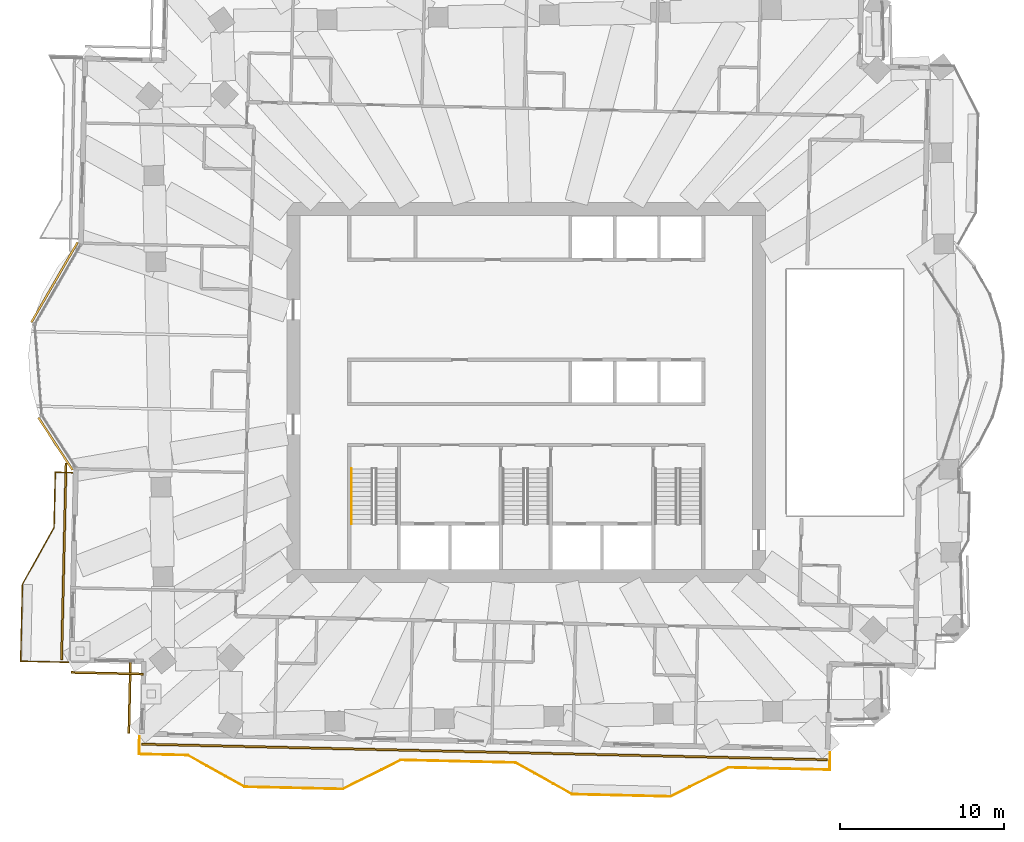
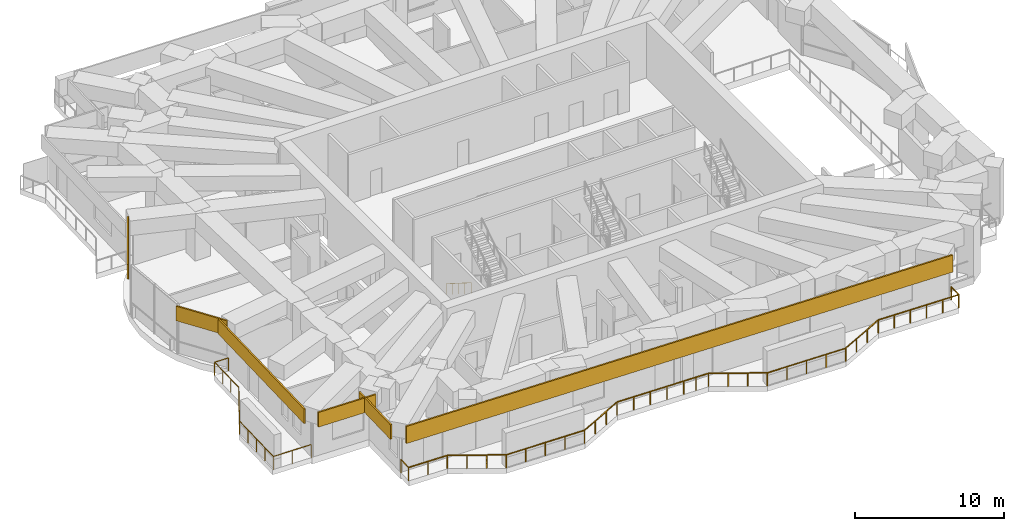
# One storey, part 15 of 19: 6 coverings, 3 railings.
"""IFC4 building model written with IfcOpenShell, lengths in metres."""

import ifcopenshell
import ifcopenshell.guid

model = None  # the IFC model being written
_history = None  # IfcOwnerHistory: only IFC2X3 demands one
_inside = {}  # id of a spatial element -> (the spatial element, [elements in it])
_under = {}  # id of a project, library or spatial element -> (it, [spatial elements below it])
_declared = {}  # id of a project -> (the project, [libraries it declares])
_typed = {}  # id of a type object -> (the type object, [elements of that type])
_made_of = {}  # id of a material, layer set ... -> (it, [elements and type objects made of it])


def new_model(schema):
    """Start an empty IFC model of exactly this schema.

    Asked for "IFC4X3", IfcOpenShell would pick the latest addendum, in which some entities
    have other attributes; the version numbers below select the first issue.
    IFC2X3 requires an IfcOwnerHistory on every rooted entity: one is made here for all.
    """
    global model, _history
    if schema == "IFC4X3":
        model = ifcopenshell.file(schema_version=(4, 3, 0, 0))
    else:
        model = ifcopenshell.file(schema=schema)
    _inside.clear()
    _under.clear()
    _declared.clear()
    _typed.clear()
    _made_of.clear()
    _history = None
    if model.schema == "IFC2X3":
        org = make("IfcOrganization", Name="unknown")
        user = make(
            "IfcPersonAndOrganization",
            ThePerson=make("IfcPerson", FamilyName="unknown"),
            TheOrganization=org,
        )
        app = make(
            "IfcApplication",
            ApplicationDeveloper=org,
            Version="unknown",
            ApplicationFullName="unknown",
            ApplicationIdentifier="unknown",
        )
        _history = make(
            "IfcOwnerHistory",
            OwningUser=user,
            OwningApplication=app,
            ChangeAction="ADDED",
            CreationDate=0,
        )
    return model


def make(cls, **values):
    """One entity of the class cls with the attributes given. An attribute that is None is left unset."""
    return model.create_entity(
        cls, **{name: value for name, value in values.items() if value is not None}
    )


def rooted(cls, **values):
    """An entity with a GlobalId (a new one), such as an element, a storey or a relation."""
    return make(cls, GlobalId=ifcopenshell.guid.new(), OwnerHistory=_history, **values)


def si_unit(unit_type, name, prefix=None):
    """IfcSIUnit, for example si_unit("LENGTHUNIT", "METRE", prefix="MILLI")."""
    return make("IfcSIUnit", UnitType=unit_type, Prefix=prefix, Name=name)


def assignment(units):
    """IfcUnitAssignment: the units of a project."""
    return None if units is None else make("IfcUnitAssignment", Units=units)


def point(xyz):
    """IfcCartesianPoint."""
    return None if xyz is None else make("IfcCartesianPoint", Coordinates=xyz)


def direction(xyz):
    """IfcDirection."""
    return None if xyz is None else make("IfcDirection", DirectionRatios=xyz)


def frame(location, z_axis=None, x_axis=None):
    """IfcAxis2Placement3D, a coordinate frame: its origin and axes. An axis left out is left unset."""
    return make(
        "IfcAxis2Placement3D",
        Location=point(location),
        Axis=direction(z_axis),
        RefDirection=direction(x_axis),
    )


def frame_2d(location, x_axis=None):
    """IfcAxis2Placement2D, a coordinate frame in the plane: its origin and x axis."""
    return make(
        "IfcAxis2Placement2D", Location=point(location), RefDirection=direction(x_axis)
    )


def origin():
    """The frame at (0, 0, 0) with its axes left unset."""
    return frame((0.0, 0.0, 0.0))


def origin_2d():
    """The frame at (0, 0) in the plane with its x axis left unset."""
    return frame_2d((0.0, 0.0))


def place(relative_to, where):
    """IfcLocalPlacement: puts the frame where relative to a parent placement (None: the world)."""
    return make(
        "IfcLocalPlacement", PlacementRelTo=relative_to, RelativePlacement=where
    )


def context(
    kind, dimensions, precision=None, world=None, true_north=None, identifier=None
):
    """IfcGeometricRepresentationContext, for example the 3D "Model" context."""
    return make(
        "IfcGeometricRepresentationContext",
        ContextIdentifier=identifier,
        ContextType=kind,
        CoordinateSpaceDimension=dimensions,
        Precision=precision,
        WorldCoordinateSystem=world,
        TrueNorth=true_north,
    )


def subcontext(parent, identifier, kind, view, scale=None):
    """IfcGeometricRepresentationSubContext, for example "Body" below "Model"."""
    return make(
        "IfcGeometricRepresentationSubContext",
        ContextIdentifier=identifier,
        ContextType=kind,
        ParentContext=parent,
        TargetScale=scale,
        TargetView=view,
    )


def project(units=None, contexts=None):
    """IfcProject with its units and contexts."""
    return rooted(
        "IfcProject",
        Name="project",
        RepresentationContexts=contexts,
        UnitsInContext=assignment(units),
    )


def spatial(cls, under=None, at=None, **own):
    """A site, building, storey or space (cls), placed at a placement, below another one or the project."""
    s = rooted(cls, ObjectPlacement=at, **own)
    if under is not None:
        _under.setdefault(under.id(), (under, []))[1].append(s)
    return s


def profile(cls, at=None, kind="AREA", **sizes):
    """A parametric profile (cls). Its sizes go by their IFC names, for example OverallWidth=200.0."""
    return make(cls, ProfileType=kind, Position=at, **sizes)


def rectangle(**sizes):
    """IfcRectangleProfileDef."""
    return profile("IfcRectangleProfileDef", **sizes)


def circle(**sizes):
    """IfcCircleProfileDef."""
    return profile("IfcCircleProfileDef", **sizes)


def extrude(swept, where, along, depth):
    """IfcExtrudedAreaSolid: the profile swept, set in the frame where, extruded along a direction by depth."""
    return make(
        "IfcExtrudedAreaSolid",
        SweptArea=swept,
        Position=where,
        ExtrudedDirection=direction(along),
        Depth=depth,
    )


def shape(context_of_items, identifier, shape_type, items):
    """IfcShapeRepresentation: the items that make up one representation, for example the "Body"."""
    return make(
        "IfcShapeRepresentation",
        ContextOfItems=context_of_items,
        RepresentationIdentifier=identifier,
        RepresentationType=shape_type,
        Items=items,
    )


def material(Name=None, Category=None):
    """IfcMaterial."""
    return make("IfcMaterial", Name=Name, Category=Category)


def layer(
    of_material, thickness, ventilated=None, Name=None, Category=None, Priority=None
):
    """IfcMaterialLayer: one layer of a wall or slab, of a material (None: an air gap)."""
    return make(
        "IfcMaterialLayer",
        Material=of_material,
        LayerThickness=thickness,
        IsVentilated=ventilated,
        Name=Name,
        Category=Category,
        Priority=Priority,
    )


def layer_set(layers, Name=None):
    """IfcMaterialLayerSet."""
    return make("IfcMaterialLayerSet", MaterialLayers=layers, LayerSetName=Name)


def made_of(thing, what):
    """Note that an element or type object is made of a material, layer set ...; save() writes the relation."""
    if what is not None:
        _made_of.setdefault(what.id(), (what, []))[1].append(thing)
    return thing


def type_object(cls, material=None, **own):
    """A type object (cls), such as IfcWallType, which elements share."""
    return made_of(rooted(cls, **own), material)


def element(
    cls,
    number,
    at=None,
    inside=None,
    cuts=None,
    type_object=None,
    material=None,
    context=None,
    identifier="Body",
    shape_type=None,
    held_by="IfcProductDefinitionShape",
    body=None,
    shapes=None,
    **own,
):
    """One element of the class cls, such as IfcWall. Its Tag is "e" and its number.

    at: its placement. inside: the storey or other place that contains it. cuts: it is an
    opening in that element (IfcRelVoidsElement). A single representation is given by context,
    identifier, shape_type and body (its items); several are given by shapes. held_by: the class
    of the entity that holds the representations. save() writes the other relations.
    """
    e = rooted(cls, Tag="e%d" % number, ObjectPlacement=at, **own)
    if body is not None:
        shapes = [shape(context, identifier, shape_type, body)]
    if shapes is not None:
        e.Representation = make(held_by, Representations=shapes)
    if inside is not None:
        _inside.setdefault(inside.id(), (inside, []))[1].append(e)
    if cuts is not None:
        rooted(
            "IfcRelVoidsElement", RelatingBuildingElement=cuts, RelatedOpeningElement=e
        )
    if type_object is not None:
        _typed.setdefault(type_object.id(), (type_object, []))[1].append(e)
    return made_of(e, material)


def aggregate(whole, parts):
    """IfcRelAggregates: a whole, such as a stair, and the parts it consists of."""
    return rooted("IfcRelAggregates", RelatingObject=whole, RelatedObjects=parts)


def save(model, path):
    """Write the relations noted so far, then the file.

    IfcRelAggregates (storeys below a building ...), IfcRelContainedInSpatialStructure (elements
    in a storey), IfcRelDefinesByType, IfcRelAssociatesMaterial and IfcRelDeclares: one each for
    every whole, place, type object, material and project.
    """
    for whole, parts in _under.values():
        aggregate(whole, parts)
    for where, things in _inside.values():
        rooted(
            "IfcRelContainedInSpatialStructure",
            RelatedElements=things,
            RelatingStructure=where,
        )
    for kind, things in _typed.values():
        rooted("IfcRelDefinesByType", RelatedObjects=things, RelatingType=kind)
    for what, things in _made_of.values():
        rooted("IfcRelAssociatesMaterial", RelatedObjects=things, RelatingMaterial=what)
    for by, libraries in _declared.values():
        rooted("IfcRelDeclares", RelatingContext=by, RelatedDefinitions=libraries)
    model.write(path)


model = new_model("IFC4")

# Units and contexts
model_context = context("Model", 3, precision=1e-05, world=origin(), true_north=direction((0.0, 1.0)))
body_context = subcontext(model_context, "Body", "Model", "MODEL_VIEW")
ifc_project = project(units=[si_unit("LENGTHUNIT", "METRE"), si_unit("AREAUNIT", "SQUARE_METRE"), si_unit("VOLUMEUNIT", "CUBIC_METRE"), si_unit("PLANEANGLEUNIT", "RADIAN"), si_unit("MASSUNIT", "GRAM", prefix="KILO")], contexts=[model_context])

# Site, building, storey
site_placement = place(None, origin())
site = spatial("IfcSite", under=ifc_project, at=site_placement, CompositionType="ELEMENT")
building_placement = place(site_placement, origin())
building = spatial("IfcBuilding", under=site, at=building_placement, Name="Mangrove Gate Tower", CompositionType="ELEMENT")
storey_placement = place(building_placement, frame((0.0, 0.0, 193.300048828125)))
storey = spatial("IfcBuildingStorey", under=building, at=storey_placement, Name="L49", CompositionType="ELEMENT", Elevation=193.300048828125)

# Railings
ifc_material_1 = material(Name="Stainless steel grade 316 with laminated glass infill", Category="steel")
railing_type_1 = type_object("IfcRailingType", Name="Balcony guard 1100", PredefinedType="GUARDRAIL", material=ifc_material_1)
railing_1_placement = place(storey_placement, frame((-27.6669921875, -4.885986328125, 0.0)))
element("IfcRailing", 1, at=railing_1_placement, inside=storey, type_object=railing_type_1, Name="GUARD L49 W2", PredefinedType="GUARDRAIL", context=body_context, shape_type="SweptSolid", body=[
    extrude(rectangle(XDim=0.048095703125, YDim=0.048095703125, at=origin_2d()), frame((0.0, 0.0, 1.076171875), z_axis=(-0.999745389313, 0.022564497502, 0.0), x_axis=(-0.022564497502, -0.999745389313, 0.0)), (0.0, 0.0, 1.0), 1.060302734375),
    extrude(rectangle(XDim=0.048095703125, YDim=0.048095703125, at=origin_2d()), frame((-1.06005859375, 0.02392578125, 1.076171875), z_axis=(-0.022504432334, -0.999746743193, 0.0), x_axis=(0.999746743193, -0.022504432334, 0.0)), (0.0, 0.0, 1.0), 3.373779296875),
    extrude(rectangle(XDim=0.048095703125, YDim=0.048095703125, at=origin_2d()), frame((-1.135986328125, -3.34912109375, 1.076171875), z_axis=(-0.487155136876, -0.873315448515, 0.0), x_axis=(0.873315448515, -0.487155136876, 0.0)), (0.0, 0.0, 1.0), 3.959716796875),
    extrude(rectangle(XDim=0.048095703125, YDim=0.048095703125, at=origin_2d()), frame((-3.06494140625, -6.80712890625, 1.076171875), z_axis=(-0.022807556235, -0.999739873856, 0.0), x_axis=(0.999739873856, -0.022807556235, 0.0)), (0.0, 0.0, 1.0), 4.69921875),
    extrude(rectangle(XDim=0.048095703125, YDim=0.048095703125, at=origin_2d()), frame((-3.172119140625, -11.505126953125, 1.076171875), z_axis=(0.999743392495, -0.022652795902, 0.0), x_axis=(0.022652795902, 0.999743392495, 0.0)), (0.0, 0.0, 1.0), 2.909912109375),
    extrude(rectangle(XDim=0.0419921875, YDim=0.0419921875, at=origin_2d()), origin(), (0.0, 0.0, 1.0), 1.052001953125),
    extrude(rectangle(XDim=0.0419921875, YDim=0.0419921875, at=origin_2d()), frame((-1.06005859375, 0.02392578125, 0.0)), (0.0, 0.0, 1.0), 1.052001953125),
    extrude(rectangle(XDim=0.0419921875, YDim=0.0419921875, at=origin_2d()), frame((-1.08544921875, -1.100341796875, 0.0)), (0.0, 0.0, 1.0), 1.052001953125),
    extrude(rectangle(XDim=0.0419921875, YDim=0.0419921875, at=origin_2d()), frame((-1.110595703125, -2.224853515625, 0.0)), (0.0, 0.0, 1.0), 1.052001953125),
    extrude(rectangle(XDim=0.0419921875, YDim=0.0419921875, at=origin_2d()), frame((-1.135986328125, -3.34912109375, 0.0)), (0.0, 0.0, 1.0), 1.052001953125),
    extrude(rectangle(XDim=0.0419921875, YDim=0.0419921875, at=origin_2d()), frame((-1.779052734375, -4.501708984375, 0.0)), (0.0, 0.0, 1.0), 1.052001953125),
    extrude(rectangle(XDim=0.0419921875, YDim=0.0419921875, at=origin_2d()), frame((-2.421875, -5.654541015625, 0.0)), (0.0, 0.0, 1.0), 1.052001953125),
    extrude(rectangle(XDim=0.0419921875, YDim=0.0419921875, at=origin_2d()), frame((-3.06494140625, -6.80712890625, 0.0)), (0.0, 0.0, 1.0), 1.052001953125),
    extrude(rectangle(XDim=0.0419921875, YDim=0.0419921875, at=origin_2d()), frame((-3.091796875, -7.981689453125, 0.0)), (0.0, 0.0, 1.0), 1.052001953125),
    extrude(rectangle(XDim=0.0419921875, YDim=0.0419921875, at=origin_2d()), frame((-3.11865234375, -9.15625, 0.0)), (0.0, 0.0, 1.0), 1.052001953125),
    extrude(rectangle(XDim=0.0419921875, YDim=0.0419921875, at=origin_2d()), frame((-3.145263671875, -10.33056640625, 0.0)), (0.0, 0.0, 1.0), 1.052001953125),
    extrude(rectangle(XDim=0.0419921875, YDim=0.0419921875, at=origin_2d()), frame((-3.172119140625, -11.505126953125, 0.0)), (0.0, 0.0, 1.0), 1.052001953125),
    extrude(rectangle(XDim=0.0419921875, YDim=0.0419921875, at=origin_2d()), frame((-1.717529296875, -11.5380859375, 0.0)), (0.0, 0.0, 1.0), 1.052001953125),
    extrude(rectangle(XDim=0.0419921875, YDim=0.0419921875, at=origin_2d()), frame((-0.262939453125, -11.571044921875, 0.0)), (0.0, 0.0, 1.0), 1.052001953125),
])
railing_2_placement = place(storey_placement, frame((-23.592041015625, -20.9970703125, 0.0)))
element("IfcRailing", 2, at=railing_2_placement, inside=storey, type_object=railing_type_1, Name="GUARD L49 S1", PredefinedType="GUARDRAIL", context=body_context, shape_type="SweptSolid", body=[
    extrude(rectangle(XDim=0.048095703125, YDim=0.048095703125, at=origin_2d()), frame((0.0, 0.0, 1.076171875), z_axis=(-0.021648921828, -0.999765634628, 0.0), x_axis=(0.999765634628, -0.021648921828, 0.0)), (0.0, 0.0, 1.0), 1.06005859375),
    extrude(rectangle(XDim=0.048095703125, YDim=0.048095703125, at=origin_2d()), frame((-0.02294921875, -1.059814453125, 1.076171875), z_axis=(0.999744753787, -0.022592637628, 0.0), x_axis=(0.022592637628, 0.999744753787, 0.0)), (0.0, 0.0, 1.0), 2.9716796875),
    extrude(rectangle(XDim=0.048095703125, YDim=0.048095703125, at=origin_2d()), frame((2.947998046875, -1.126953125, 1.076171875), z_axis=(0.87325689943, -0.48726008209, 0.0), x_axis=(0.48726008209, 0.87325689943, 0.0)), (0.0, 0.0, 1.0), 3.958740234375),
    extrude(rectangle(XDim=0.048095703125, YDim=0.048095703125, at=origin_2d()), frame((6.405029296875, -3.055908203125, 1.076171875), z_axis=(0.999743094499, -0.022665943652, 0.0), x_axis=(0.022665943652, 0.999743094499, 0.0)), (0.0, 0.0, 1.0), 5.99951171875),
    extrude(rectangle(XDim=0.048095703125, YDim=0.048095703125, at=origin_2d()), frame((12.403076171875, -3.19189453125, 1.076171875), z_axis=(0.894476522376, 0.447114919141, 0.0), x_axis=(-0.447114919141, 0.894476522376, 0.0)), (0.0, 0.0, 1.0), 3.958740234375),
    extrude(rectangle(XDim=0.048095703125, YDim=0.048095703125, at=origin_2d()), frame((15.944091796875, -1.421875, 1.076171875), z_axis=(0.999741464718, -0.02273771586, 0.0), x_axis=(0.02273771586, 0.999741464718, 0.0)), (0.0, 0.0, 1.0), 5.10009765625),
    extrude(rectangle(XDim=0.048095703125, YDim=0.048095703125, at=origin_2d()), frame((21.04296875, -1.537841796875, 1.076171875), z_axis=(0.999744415357, -0.022607608519, 0.0), x_axis=(0.022607608519, 0.999744415357, 0.0)), (0.0, 0.0, 1.0), 1.900634765625),
    extrude(rectangle(XDim=0.048095703125, YDim=0.048095703125, at=origin_2d()), frame((22.943115234375, -1.580810546875, 1.076171875), z_axis=(0.873230657876, -0.487307108654, 0.0), x_axis=(0.487307108654, 0.873230657876, 0.0)), (0.0, 0.0, 1.0), 3.958984375),
    extrude(rectangle(XDim=0.048095703125, YDim=0.048095703125, at=origin_2d()), frame((26.400146484375, -3.510009765625, 1.076171875), z_axis=(0.999743073592, -0.022666865795, 0.0), x_axis=(0.022666865795, 0.999743073592, 0.0)), (0.0, 0.0, 1.0), 5.999267578125),
    extrude(rectangle(XDim=0.048095703125, YDim=0.048095703125, at=origin_2d()), frame((32.39794921875, -3.64599609375, 1.076171875), z_axis=(0.894476522376, 0.447114919141, 0.0), x_axis=(-0.447114919141, 0.894476522376, 0.0)), (0.0, 0.0, 1.0), 3.958740234375),
    extrude(rectangle(XDim=0.048095703125, YDim=0.048095703125, at=origin_2d()), frame((35.93896484375, -1.8759765625, 1.076171875), z_axis=(0.999743161071, -0.022663007133, 0.0), x_axis=(0.022663007133, 0.999743161071, 0.0)), (0.0, 0.0, 1.0), 6.172607421875),
    extrude(rectangle(XDim=0.048095703125, YDim=0.048095703125, at=origin_2d()), frame((42.110107421875, -2.015869140625, 1.076171875), z_axis=(0.022564497502, 0.999745389313, 0.0), x_axis=(-0.999745389313, 0.022564497502, 0.0)), (0.0, 0.0, 1.0), 1.060302734375),
    extrude(rectangle(XDim=0.0419921875, YDim=0.0419921875, at=origin_2d()), origin(), (0.0, 0.0, 1.0), 1.052001953125),
    extrude(rectangle(XDim=0.0419921875, YDim=0.0419921875, at=origin_2d()), frame((-0.02294921875, -1.059814453125, 0.0)), (0.0, 0.0, 1.0), 1.052001953125),
    extrude(rectangle(XDim=0.0419921875, YDim=0.0419921875, at=origin_2d()), frame((1.46240234375, -1.09326171875, 0.0)), (0.0, 0.0, 1.0), 1.052001953125),
    extrude(rectangle(XDim=0.0419921875, YDim=0.0419921875, at=origin_2d()), frame((2.947998046875, -1.126953125, 0.0)), (0.0, 0.0, 1.0), 1.052001953125),
    extrude(rectangle(XDim=0.0419921875, YDim=0.0419921875, at=origin_2d()), frame((4.100341796875, -1.77001953125, 0.0)), (0.0, 0.0, 1.0), 1.052001953125),
    extrude(rectangle(XDim=0.0419921875, YDim=0.0419921875, at=origin_2d()), frame((5.252685546875, -2.412841796875, 0.0)), (0.0, 0.0, 1.0), 1.052001953125),
    extrude(rectangle(XDim=0.0419921875, YDim=0.0419921875, at=origin_2d()), frame((6.405029296875, -3.055908203125, 0.0)), (0.0, 0.0, 1.0), 1.052001953125),
    extrude(rectangle(XDim=0.0419921875, YDim=0.0419921875, at=origin_2d()), frame((7.904541015625, -3.08984375, 0.0)), (0.0, 0.0, 1.0), 1.052001953125),
    extrude(rectangle(XDim=0.0419921875, YDim=0.0419921875, at=origin_2d()), frame((9.404052734375, -3.1240234375, 0.0)), (0.0, 0.0, 1.0), 1.052001953125),
    extrude(rectangle(XDim=0.0419921875, YDim=0.0419921875, at=origin_2d()), frame((10.903564453125, -3.157958984375, 0.0)), (0.0, 0.0, 1.0), 1.052001953125),
    extrude(rectangle(XDim=0.0419921875, YDim=0.0419921875, at=origin_2d()), frame((12.403076171875, -3.19189453125, 0.0)), (0.0, 0.0, 1.0), 1.052001953125),
    extrude(rectangle(XDim=0.0419921875, YDim=0.0419921875, at=origin_2d()), frame((13.58349609375, -2.601806640625, 0.0)), (0.0, 0.0, 1.0), 1.052001953125),
    extrude(rectangle(XDim=0.0419921875, YDim=0.0419921875, at=origin_2d()), frame((14.763671875, -2.011962890625, 0.0)), (0.0, 0.0, 1.0), 1.052001953125),
    extrude(rectangle(XDim=0.0419921875, YDim=0.0419921875, at=origin_2d()), frame((15.944091796875, -1.421875, 0.0)), (0.0, 0.0, 1.0), 1.052001953125),
    extrude(rectangle(XDim=0.0419921875, YDim=0.0419921875, at=origin_2d()), frame((17.21875, -1.450927734375, 0.0)), (0.0, 0.0, 1.0), 1.052001953125),
    extrude(rectangle(XDim=0.0419921875, YDim=0.0419921875, at=origin_2d()), frame((18.49365234375, -1.47998046875, 0.0)), (0.0, 0.0, 1.0), 1.052001953125),
    extrude(rectangle(XDim=0.0419921875, YDim=0.0419921875, at=origin_2d()), frame((19.768310546875, -1.5087890625, 0.0)), (0.0, 0.0, 1.0), 1.052001953125),
    extrude(rectangle(XDim=0.0419921875, YDim=0.0419921875, at=origin_2d()), frame((21.04296875, -1.537841796875, 0.0)), (0.0, 0.0, 1.0), 1.052001953125),
    extrude(rectangle(XDim=0.0419921875, YDim=0.0419921875, at=origin_2d()), frame((21.9931640625, -1.559326171875, 0.0)), (0.0, 0.0, 1.0), 1.052001953125),
    extrude(rectangle(XDim=0.0419921875, YDim=0.0419921875, at=origin_2d()), frame((22.943115234375, -1.580810546875, 0.0)), (0.0, 0.0, 1.0), 1.052001953125),
    extrude(rectangle(XDim=0.0419921875, YDim=0.0419921875, at=origin_2d()), frame((24.095458984375, -2.223876953125, 0.0)), (0.0, 0.0, 1.0), 1.052001953125),
    extrude(rectangle(XDim=0.0419921875, YDim=0.0419921875, at=origin_2d()), frame((25.247802734375, -2.866943359375, 0.0)), (0.0, 0.0, 1.0), 1.052001953125),
    extrude(rectangle(XDim=0.0419921875, YDim=0.0419921875, at=origin_2d()), frame((26.400146484375, -3.510009765625, 0.0)), (0.0, 0.0, 1.0), 1.052001953125),
    extrude(rectangle(XDim=0.0419921875, YDim=0.0419921875, at=origin_2d()), frame((27.899658203125, -3.5439453125, 0.0)), (0.0, 0.0, 1.0), 1.052001953125),
    extrude(rectangle(XDim=0.0419921875, YDim=0.0419921875, at=origin_2d()), frame((29.39892578125, -3.578125, 0.0)), (0.0, 0.0, 1.0), 1.052001953125),
    extrude(rectangle(XDim=0.0419921875, YDim=0.0419921875, at=origin_2d()), frame((30.8984375, -3.612060546875, 0.0)), (0.0, 0.0, 1.0), 1.052001953125),
    extrude(rectangle(XDim=0.0419921875, YDim=0.0419921875, at=origin_2d()), frame((32.39794921875, -3.64599609375, 0.0)), (0.0, 0.0, 1.0), 1.052001953125),
    extrude(rectangle(XDim=0.0419921875, YDim=0.0419921875, at=origin_2d()), frame((33.578369140625, -3.055908203125, 0.0)), (0.0, 0.0, 1.0), 1.052001953125),
    extrude(rectangle(XDim=0.0419921875, YDim=0.0419921875, at=origin_2d()), frame((34.758544921875, -2.466064453125, 0.0)), (0.0, 0.0, 1.0), 1.052001953125),
    extrude(rectangle(XDim=0.0419921875, YDim=0.0419921875, at=origin_2d()), frame((35.93896484375, -1.8759765625, 0.0)), (0.0, 0.0, 1.0), 1.052001953125),
    extrude(rectangle(XDim=0.0419921875, YDim=0.0419921875, at=origin_2d()), frame((37.173095703125, -1.904052734375, 0.0)), (0.0, 0.0, 1.0), 1.052001953125),
    extrude(rectangle(XDim=0.0419921875, YDim=0.0419921875, at=origin_2d()), frame((38.407470703125, -1.931884765625, 0.0)), (0.0, 0.0, 1.0), 1.052001953125),
    extrude(rectangle(XDim=0.0419921875, YDim=0.0419921875, at=origin_2d()), frame((39.6416015625, -1.9599609375, 0.0)), (0.0, 0.0, 1.0), 1.052001953125),
    extrude(rectangle(XDim=0.0419921875, YDim=0.0419921875, at=origin_2d()), frame((40.8759765625, -1.98779296875, 0.0)), (0.0, 0.0, 1.0), 1.052001953125),
    extrude(rectangle(XDim=0.0419921875, YDim=0.0419921875, at=origin_2d()), frame((42.110107421875, -2.015869140625, 0.0)), (0.0, 0.0, 1.0), 1.052001953125),
    extrude(rectangle(XDim=0.0419921875, YDim=0.0419921875, at=origin_2d()), frame((42.134033203125, -0.955810546875, 0.0)), (0.0, 0.0, 1.0), 1.052001953125),
])
ifc_material_2 = material(Name="Stainless steel 316", Category="steel")
railing_type_2 = type_object("IfcRailingType", Name="Core stair handrail 900", PredefinedType="HANDRAIL", material=ifc_material_2)
railing_3_placement = place(storey_placement, frame((-10.64990234375, -4.64990234375, 0.1767578125)))
element("IfcRailing", 3, at=railing_3_placement, inside=storey, type_object=railing_type_2, Name="L49 ST1 stair handrail 1", PredefinedType="HANDRAIL", context=body_context, shape_type="SweptSolid", body=[
    extrude(circle(Radius=0.02392578125, at=origin_2d()), frame((0.0, 0.0, 0.8759765625), z_axis=(0.0, -0.845361898145, 0.534194029511), x_axis=(1.0, 0.0, 0.0)), (0.0, 0.0, 1.0), 3.974853515625),
    extrude(circle(Radius=0.02099609375, at=origin_2d()), origin(), (0.0, 0.0, 1.0), 0.851806640625),
    extrude(circle(Radius=0.02099609375, at=origin_2d()), frame((0.0, -0.840087890625, 0.53076171875)), (0.0, 0.0, 1.0), 0.851806640625),
    extrude(circle(Radius=0.02099609375, at=origin_2d()), frame((0.0, -1.68017578125, 1.0615234375)), (0.0, 0.0, 1.0), 0.851806640625),
    extrude(circle(Radius=0.02099609375, at=origin_2d()), frame((0.0, -2.52001953125, 1.592529296875)), (0.0, 0.0, 1.0), 0.851806640625),
    extrude(circle(Radius=0.02099609375, at=origin_2d()), frame((0.0, -3.360107421875, 2.123291015625)), (0.0, 0.0, 1.0), 0.851806640625),
])

# Coverings
ifc_material_3 = material(Name="Limestone", Category="masonry")
ifc_layer_1 = layer(ifc_material_3, 0.0400390625, Name="Limestone cladding")
ifc_material_4 = material(Name="Stainless steel anchors and cavity", Category="steel")
ifc_layer_2 = layer(ifc_material_4, 0.080078125, Name="Fixing cavity")
ifc_layer_set = layer_set([ifc_layer_1, ifc_layer_2], Name="Joint fascia cladding 120")
covering_type = type_object("IfcCoveringType", Name="Joint fascia cladding 120", PredefinedType="CLADDING", material=ifc_layer_set)
covering_1_placement = place(storey_placement, frame((-27.363037109375, 9.1689453125, 2.849853515625), z_axis=(0.0, 0.0, 1.0), x_axis=(-0.500425402898, -0.865779657958, 0.0)))
element("IfcCovering", 4, at=covering_1_placement, inside=storey, type_object=covering_type, Name="STONE FASCIA L49 W9.L1", PredefinedType="CLADDING", context=body_context, shape_type="SweptSolid", body=[
    extrude(rectangle(XDim=5.64111328125, YDim=0.1201171875, at=frame_2d((2.820556640625, 0.0))), origin(), (0.0, 0.0, 1.0), 1.2001953125),
])
covering_2_placement = place(storey_placement, frame((-29.760009765625, -1.52294921875, 2.849853515625), z_axis=(0.0, 0.0, 1.0), x_axis=(0.546375113745, -0.837540587124, 0.0)))
element("IfcCovering", 5, at=covering_2_placement, inside=storey, type_object=covering_type, Name="STONE FASCIA L49 W9.L2", PredefinedType="CLADDING", context=body_context, shape_type="SweptSolid", body=[
    extrude(rectangle(XDim=3.81591796875, YDim=0.1201171875, at=frame_2d((1.907958984375, 0.0))), origin(), (0.0, 0.0, 1.0), 1.2001953125),
])
covering_3_placement = place(storey_placement, frame((-28.070068359375, -4.309326171875, 2.849853515625), z_axis=(0.0, 0.0, 1.0), x_axis=(-0.022679783685, -0.999742780625, 0.0)))
element("IfcCovering", 6, at=covering_3_placement, inside=storey, type_object=covering_type, Name="STONE FASCIA L49 W10.1", PredefinedType="CLADDING", context=body_context, shape_type="SweptSolid", body=[
    extrude(rectangle(XDim=11.991943359375, YDim=0.1201171875, at=frame_2d((5.99609375, 0.0))), origin(), (0.0, 0.0, 1.0), 1.2001953125),
])
for number, where, z_axis, x_axis, name in (
    (7, (-27.75390625, -17.074951171875, 2.849853515625), (0.0, 0.0, 1.0), (0.999741204967, -0.022749133868, 0.0), "STONE FASCIA L49 S11.1"),
    (8, (-24.138916015625, -16.39306640625, 2.849853515625), (0.0, 0.0, 1.0), (-0.022749133868, -0.999741204967, 0.0), "STONE FASCIA L49 W12.1"),
):
    element("IfcCovering", number, at=place(storey_placement, frame(where, z_axis=z_axis, x_axis=x_axis)), inside=storey, type_object=covering_type, Name=name, PredefinedType="CLADDING", context=body_context, shape_type="SweptSolid", body=[
        extrude(rectangle(XDim=4.400146484375, YDim=0.1201171875, at=frame_2d((2.2001953125, 0.0))), origin(), (0.0, 0.0, 1.0), 1.2001953125),
    ])
covering_4_placement = place(storey_placement, frame((-23.451904296875, -21.451904296875, 2.64990234375), z_axis=(0.0, 0.0, 1.0), x_axis=(0.999742136674, -0.022708151808, 0.0)))
element("IfcCovering", 9, at=covering_4_placement, inside=storey, type_object=covering_type, Name="STONE FASCIA L49 S13.1", PredefinedType="CLADDING", context=body_context, shape_type="SweptSolid", body=[
    extrude(rectangle(XDim=41.84375, YDim=0.1201171875, at=frame_2d((20.921875, 0.0))), origin(), (0.0, 0.0, 1.0), 1.400146484375),
])

save(model, "model.ifc")
